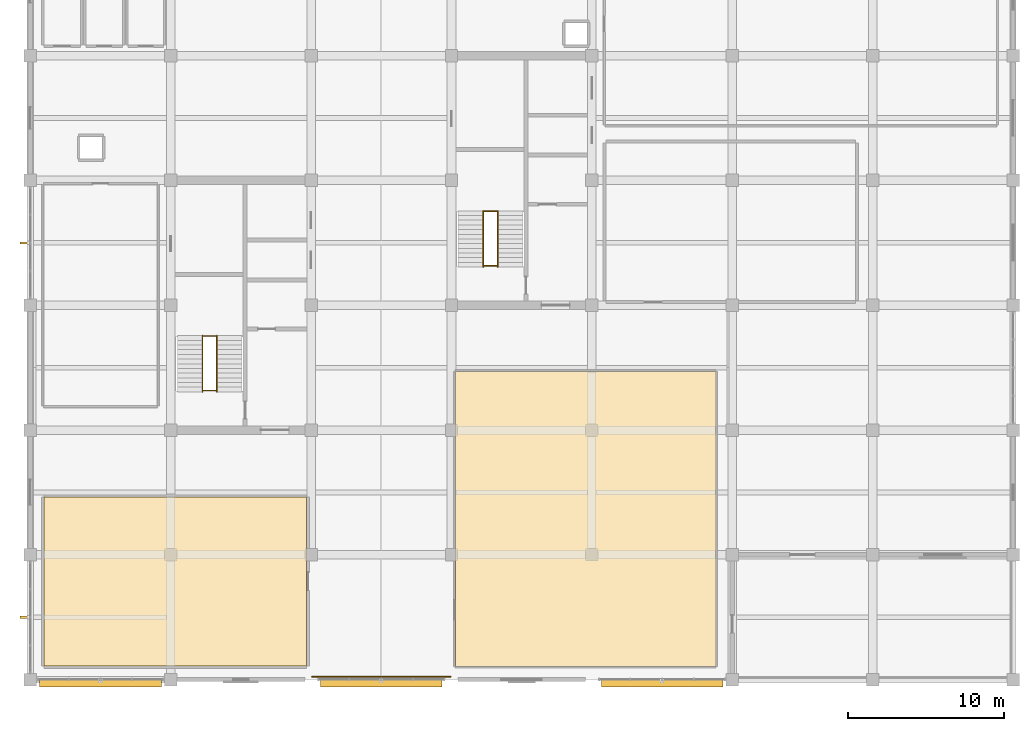
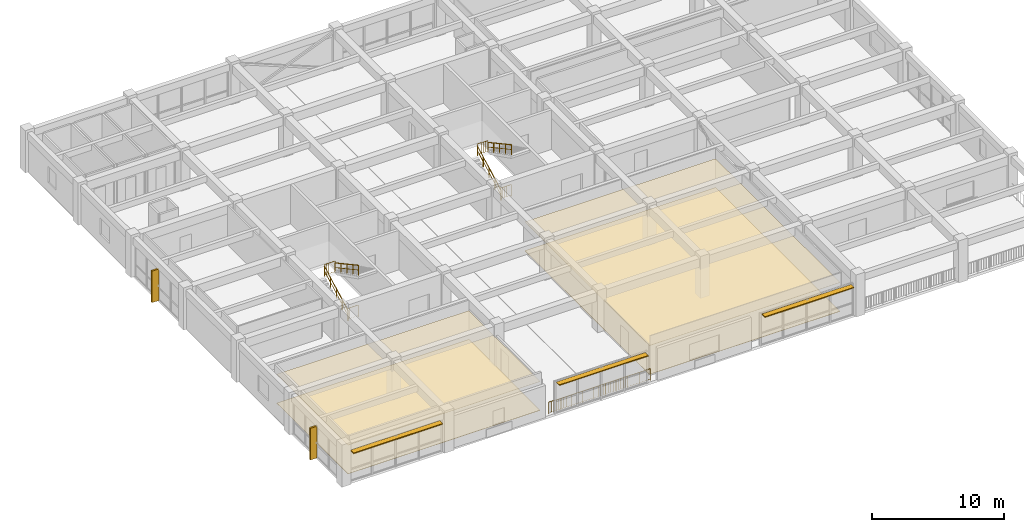
# One storey, part 16 of 17: 9 railings, 5 shading devices, 4 coverings.
"""IFC4 building model written with IfcOpenShell, lengths in metres."""

from ifc_helpers import new_model, si_unit, direction, frame, frame_2d, origin, origin_2d, place, context, subcontext, project, spatial, polyline, rectangle, circle, outline, extrude, material, layer, layer_set, type_object, element, save


model = new_model("IFC4")

# Units and contexts
model_context = context("Model", 3, precision=1e-05, world=origin(), true_north=direction((0.0, 1.0)))
body_context = subcontext(model_context, "Body", "Model", "MODEL_VIEW")
ifc_project = project(units=[si_unit("LENGTHUNIT", "METRE"), si_unit("AREAUNIT", "SQUARE_METRE"), si_unit("VOLUMEUNIT", "CUBIC_METRE"), si_unit("PLANEANGLEUNIT", "RADIAN"), si_unit("MASSUNIT", "GRAM", prefix="KILO")], contexts=[model_context])

# Site, building, storey
site_placement = place(None, origin())
site = spatial("IfcSite", under=ifc_project, at=site_placement, CompositionType="ELEMENT")
building_placement = place(site_placement, origin())
building = spatial("IfcBuilding", under=site, at=building_placement, Name="Zaverband Oceanarium and Marine Research Institute", CompositionType="ELEMENT")
storey_placement = place(building_placement, frame((0.0, 0.0, 33.60009765625)))
storey = spatial("IfcBuildingStorey", under=building, at=storey_placement, Name="L08", CompositionType="ELEMENT", Elevation=33.60009765625)

# Coverings
ifc_material_1 = material(Name="Perforated mineral-fibre acoustic ceiling tile")
ifc_layer_1 = layer(ifc_material_1, 0.02490234375, Name="Perforated mineral-fibre acoustic ceiling tile")
ifc_layer_set_1 = layer_set([ifc_layer_1], Name="Perforated mineral-fibre acoustic ceiling tile")
covering_type_1 = type_object("IfcCoveringType", Name="CLG-AC-15", PredefinedType="CEILING", material=ifc_layer_set_1)
covering_1_placement = place(storey_placement, frame((0.0, 0.0, 2.659912109375)))
element("IfcCovering", 1, at=covering_1_placement, inside=storey, type_object=covering_type_1, Name="Suspended acoustic ceiling CLG-AC-15", PredefinedType="CEILING", context=body_context, shape_type="SweptSolid", body=[
    extrude(outline(polyline([(9.889892578125, 64.889892578125), (26.7099609375, 64.889892578125), (26.7099609375, 75.7099609375), (9.889892578125, 75.7099609375), (9.889892578125, 64.889892578125)])), origin(), (0.0, 0.0, 1.0), 0.02490234375),
])
covering_2_placement = place(storey_placement, frame((0.0, 0.0, 2.659912109375)))
element("IfcCovering", 2, at=covering_2_placement, inside=storey, type_object=covering_type_1, Name="Suspended acoustic ceiling CLG-AC-15", PredefinedType="CEILING", context=body_context, shape_type="SweptSolid", body=[
    extrude(outline(polyline([(36.25, 64.85009765625), (52.949951171875, 64.85009765625), (52.949951171875, 83.75), (36.25, 83.75), (36.25, 64.85009765625)])), origin(), (0.0, 0.0, 1.0), 0.02490234375),
])
ifc_material_2 = material(Name="Polished marine terrazzo and seamless laboratory epoxy flooring")
ifc_layer_2 = layer(ifc_material_2, 0.02490234375, Name="Polished marine terrazzo and seamless laboratory epoxy flooring")
ifc_layer_set_2 = layer_set([ifc_layer_2], Name="Polished marine terrazzo and seamless laboratory epoxy flooring")
covering_type_2 = type_object("IfcCoveringType", Name="FLR-TRZ-20", PredefinedType="FLOORING", material=ifc_layer_set_2)
covering_3_placement = place(storey_placement, origin())
element("IfcCovering", 3, at=covering_3_placement, inside=storey, type_object=covering_type_2, Name="Terrazzo and marine epoxy floor finish FLR-TRZ-20", PredefinedType="FLOORING", context=body_context, shape_type="SweptSolid", body=[
    extrude(outline(polyline([(9.889892578125, 64.889892578125), (26.7099609375, 64.889892578125), (26.7099609375, 75.7099609375), (9.889892578125, 75.7099609375), (9.889892578125, 64.889892578125)])), origin(), (0.0, 0.0, 1.0), 0.02490234375),
])
covering_4_placement = place(storey_placement, origin())
element("IfcCovering", 4, at=covering_4_placement, inside=storey, type_object=covering_type_2, Name="Terrazzo and marine epoxy floor finish FLR-TRZ-20", PredefinedType="FLOORING", context=body_context, shape_type="SweptSolid", body=[
    extrude(outline(polyline([(36.25, 64.85009765625), (52.949951171875, 64.85009765625), (52.949951171875, 83.75), (36.25, 83.75), (36.25, 64.85009765625)])), origin(), (0.0, 0.0, 1.0), 0.02490234375),
])

# Railings
ifc_material_3 = material(Name="Steel S355", Category="steel")
ifc_layer_3 = layer(ifc_material_3, 0.06005859375, Name="Steel S355")
ifc_layer_set_3 = layer_set([ifc_layer_3], Name="Steel S355")
railing_type_1 = type_object("IfcRailingType", Name="GRD-1100", PredefinedType="BALUSTRADE", material=ifc_layer_set_3)
for number, where, name in (
    (5, (20.0400390625, 86.030029296875, 1.949951171875), "1100 mm steel post-and-baluster safety guard GRD-1100"),
    (6, (20.0400390625, 82.530029296875, 0.0), "1100 mm steel post-and-baluster safety guard GRD-1100"),
    (7, (38.0400390625, 94.030029296875, 1.949951171875), "1100 mm steel post-and-baluster safety guard GRD-1100"),
    (8, (38.0400390625, 90.530029296875, 0.0), "1100 mm steel post-and-baluster safety guard GRD-1100"),
):
    element("IfcRailing", number, at=place(storey_placement, frame(where)), inside=storey, type_object=railing_type_1, Name=name, PredefinedType="BALUSTRADE", context=body_context, shape_type="SweptSolid", body=[
        extrude(circle(Radius=0.02392578125, at=origin_2d()), frame((0.0, 0.0, 1.076171875), z_axis=(1.0, 0.0, 0.0), x_axis=(0.0, 1.0, 0.0)), (0.0, 0.0, 1.0), 0.919921875),
        extrude(circle(Radius=0.009033203125, at=origin_2d()), frame((0.0, 0.0, 0.10009765625), z_axis=(1.0, 0.0, 0.0), x_axis=(0.0, 1.0, 0.0)), (0.0, 0.0, 1.0), 0.919921875),
        extrude(circle(Radius=0.009033203125, at=origin_2d()), frame((0.18408203125, 0.0, 0.10009765625)), (0.0, 0.0, 1.0), 0.951904296875),
        extrude(circle(Radius=0.009033203125, at=origin_2d()), frame((0.367919921875, 0.0, 0.10009765625)), (0.0, 0.0, 1.0), 0.951904296875),
        extrude(circle(Radius=0.009033203125, at=origin_2d()), frame((0.552001953125, 0.0, 0.10009765625)), (0.0, 0.0, 1.0), 0.951904296875),
        extrude(circle(Radius=0.009033203125, at=origin_2d()), frame((0.73583984375, 0.0, 0.10009765625)), (0.0, 0.0, 1.0), 0.951904296875),
        extrude(circle(Radius=0.02099609375, at=origin_2d()), origin(), (0.0, 0.0, 1.0), 1.052001953125),
        extrude(circle(Radius=0.02099609375, at=origin_2d()), frame((0.919921875, 0.0, 0.0)), (0.0, 0.0, 1.0), 1.052001953125),
    ])
railing_1_placement = place(storey_placement, frame((27.050048828125, 64.179931640625, 0.0)))
element("IfcRailing", 9, at=railing_1_placement, inside=storey, type_object=railing_type_1, Name="1100 mm steel post-and-baluster safety guard GRD-1100", PredefinedType="BALUSTRADE", context=body_context, shape_type="SweptSolid", body=[
    extrude(circle(Radius=0.02392578125, at=origin_2d()), frame((0.0, 0.0, 1.076171875), z_axis=(1.0, 0.0, 0.0), x_axis=(0.0, 1.0, 0.0)), (0.0, 0.0, 1.0), 8.89990234375),
    extrude(circle(Radius=0.009033203125, at=origin_2d()), frame((0.0, 0.0, 0.10009765625), z_axis=(1.0, 0.0, 0.0), x_axis=(0.0, 1.0, 0.0)), (0.0, 0.0, 1.0), 8.89990234375),
    extrude(circle(Radius=0.009033203125, at=origin_2d()), frame((0.217041015625, 0.0, 0.10009765625)), (0.0, 0.0, 1.0), 0.951904296875),
    extrude(circle(Radius=0.009033203125, at=origin_2d()), frame((0.43408203125, 0.0, 0.10009765625)), (0.0, 0.0, 1.0), 0.951904296875),
    extrude(circle(Radius=0.009033203125, at=origin_2d()), frame((0.651123046875, 0.0, 0.10009765625)), (0.0, 0.0, 1.0), 0.951904296875),
    extrude(circle(Radius=0.009033203125, at=origin_2d()), frame((0.8681640625, 0.0, 0.10009765625)), (0.0, 0.0, 1.0), 0.951904296875),
    extrude(circle(Radius=0.009033203125, at=origin_2d()), frame((1.08544921875, 0.0, 0.10009765625)), (0.0, 0.0, 1.0), 0.951904296875),
    extrude(circle(Radius=0.009033203125, at=origin_2d()), frame((1.302490234375, 0.0, 0.10009765625)), (0.0, 0.0, 1.0), 0.951904296875),
    extrude(circle(Radius=0.009033203125, at=origin_2d()), frame((1.51953125, 0.0, 0.10009765625)), (0.0, 0.0, 1.0), 0.951904296875),
    extrude(circle(Radius=0.009033203125, at=origin_2d()), frame((1.736572265625, 0.0, 0.10009765625)), (0.0, 0.0, 1.0), 0.951904296875),
    extrude(circle(Radius=0.009033203125, at=origin_2d()), frame((1.95361328125, 0.0, 0.10009765625)), (0.0, 0.0, 1.0), 0.951904296875),
    extrude(circle(Radius=0.009033203125, at=origin_2d()), frame((2.170654296875, 0.0, 0.10009765625)), (0.0, 0.0, 1.0), 0.951904296875),
    extrude(circle(Radius=0.009033203125, at=origin_2d()), frame((2.3876953125, 0.0, 0.10009765625)), (0.0, 0.0, 1.0), 0.951904296875),
    extrude(circle(Radius=0.009033203125, at=origin_2d()), frame((2.604736328125, 0.0, 0.10009765625)), (0.0, 0.0, 1.0), 0.951904296875),
    extrude(circle(Radius=0.009033203125, at=origin_2d()), frame((2.822021484375, 0.0, 0.10009765625)), (0.0, 0.0, 1.0), 0.951904296875),
    extrude(circle(Radius=0.009033203125, at=origin_2d()), frame((3.0390625, 0.0, 0.10009765625)), (0.0, 0.0, 1.0), 0.951904296875),
    extrude(circle(Radius=0.009033203125, at=origin_2d()), frame((3.256103515625, 0.0, 0.10009765625)), (0.0, 0.0, 1.0), 0.951904296875),
    extrude(circle(Radius=0.009033203125, at=origin_2d()), frame((3.47314453125, 0.0, 0.10009765625)), (0.0, 0.0, 1.0), 0.951904296875),
    extrude(circle(Radius=0.009033203125, at=origin_2d()), frame((3.690185546875, 0.0, 0.10009765625)), (0.0, 0.0, 1.0), 0.951904296875),
    extrude(circle(Radius=0.009033203125, at=origin_2d()), frame((3.9072265625, 0.0, 0.10009765625)), (0.0, 0.0, 1.0), 0.951904296875),
    extrude(circle(Radius=0.009033203125, at=origin_2d()), frame((4.124267578125, 0.0, 0.10009765625)), (0.0, 0.0, 1.0), 0.951904296875),
    extrude(circle(Radius=0.009033203125, at=origin_2d()), frame((4.34130859375, 0.0, 0.10009765625)), (0.0, 0.0, 1.0), 0.951904296875),
    extrude(circle(Radius=0.009033203125, at=origin_2d()), frame((4.55859375, 0.0, 0.10009765625)), (0.0, 0.0, 1.0), 0.951904296875),
    extrude(circle(Radius=0.009033203125, at=origin_2d()), frame((4.775634765625, 0.0, 0.10009765625)), (0.0, 0.0, 1.0), 0.951904296875),
    extrude(circle(Radius=0.009033203125, at=origin_2d()), frame((4.99267578125, 0.0, 0.10009765625)), (0.0, 0.0, 1.0), 0.951904296875),
    extrude(circle(Radius=0.009033203125, at=origin_2d()), frame((5.209716796875, 0.0, 0.10009765625)), (0.0, 0.0, 1.0), 0.951904296875),
    extrude(circle(Radius=0.009033203125, at=origin_2d()), frame((5.4267578125, 0.0, 0.10009765625)), (0.0, 0.0, 1.0), 0.951904296875),
    extrude(circle(Radius=0.009033203125, at=origin_2d()), frame((5.643798828125, 0.0, 0.10009765625)), (0.0, 0.0, 1.0), 0.951904296875),
    extrude(circle(Radius=0.009033203125, at=origin_2d()), frame((5.86083984375, 0.0, 0.10009765625)), (0.0, 0.0, 1.0), 0.951904296875),
    extrude(circle(Radius=0.009033203125, at=origin_2d()), frame((6.077880859375, 0.0, 0.10009765625)), (0.0, 0.0, 1.0), 0.951904296875),
    extrude(circle(Radius=0.009033203125, at=origin_2d()), frame((6.295166015625, 0.0, 0.10009765625)), (0.0, 0.0, 1.0), 0.951904296875),
    extrude(circle(Radius=0.009033203125, at=origin_2d()), frame((6.51220703125, 0.0, 0.10009765625)), (0.0, 0.0, 1.0), 0.951904296875),
    extrude(circle(Radius=0.009033203125, at=origin_2d()), frame((6.729248046875, 0.0, 0.10009765625)), (0.0, 0.0, 1.0), 0.951904296875),
    extrude(circle(Radius=0.009033203125, at=origin_2d()), frame((6.9462890625, 0.0, 0.10009765625)), (0.0, 0.0, 1.0), 0.951904296875),
    extrude(circle(Radius=0.009033203125, at=origin_2d()), frame((7.163330078125, 0.0, 0.10009765625)), (0.0, 0.0, 1.0), 0.951904296875),
    extrude(circle(Radius=0.009033203125, at=origin_2d()), frame((7.38037109375, 0.0, 0.10009765625)), (0.0, 0.0, 1.0), 0.951904296875),
    extrude(circle(Radius=0.009033203125, at=origin_2d()), frame((7.597412109375, 0.0, 0.10009765625)), (0.0, 0.0, 1.0), 0.951904296875),
    extrude(circle(Radius=0.009033203125, at=origin_2d()), frame((7.814453125, 0.0, 0.10009765625)), (0.0, 0.0, 1.0), 0.951904296875),
    extrude(circle(Radius=0.009033203125, at=origin_2d()), frame((8.03173828125, 0.0, 0.10009765625)), (0.0, 0.0, 1.0), 0.951904296875),
    extrude(circle(Radius=0.009033203125, at=origin_2d()), frame((8.248779296875, 0.0, 0.10009765625)), (0.0, 0.0, 1.0), 0.951904296875),
    extrude(circle(Radius=0.009033203125, at=origin_2d()), frame((8.4658203125, 0.0, 0.10009765625)), (0.0, 0.0, 1.0), 0.951904296875),
    extrude(circle(Radius=0.009033203125, at=origin_2d()), frame((8.682861328125, 0.0, 0.10009765625)), (0.0, 0.0, 1.0), 0.951904296875),
    extrude(circle(Radius=0.02099609375, at=origin_2d()), origin(), (0.0, 0.0, 1.0), 1.052001953125),
    extrude(circle(Radius=0.02099609375, at=origin_2d()), frame((0.98876953125, 0.0, 0.0)), (0.0, 0.0, 1.0), 1.052001953125),
    extrude(circle(Radius=0.02099609375, at=origin_2d()), frame((1.977783203125, 0.0, 0.0)), (0.0, 0.0, 1.0), 1.052001953125),
    extrude(circle(Radius=0.02099609375, at=origin_2d()), frame((2.966552734375, 0.0, 0.0)), (0.0, 0.0, 1.0), 1.052001953125),
    extrude(circle(Radius=0.02099609375, at=origin_2d()), frame((3.95556640625, 0.0, 0.0)), (0.0, 0.0, 1.0), 1.052001953125),
    extrude(circle(Radius=0.02099609375, at=origin_2d()), frame((4.9443359375, 0.0, 0.0)), (0.0, 0.0, 1.0), 1.052001953125),
    extrude(circle(Radius=0.02099609375, at=origin_2d()), frame((5.933349609375, 0.0, 0.0)), (0.0, 0.0, 1.0), 1.052001953125),
    extrude(circle(Radius=0.02099609375, at=origin_2d()), frame((6.922119140625, 0.0, 0.0)), (0.0, 0.0, 1.0), 1.052001953125),
    extrude(circle(Radius=0.02099609375, at=origin_2d()), frame((7.9111328125, 0.0, 0.0)), (0.0, 0.0, 1.0), 1.052001953125),
    extrude(circle(Radius=0.02099609375, at=origin_2d()), frame((8.89990234375, 0.0, 0.0)), (0.0, 0.0, 1.0), 1.052001953125),
])
ifc_layer_4 = layer(ifc_material_3, 0.050048828125, Name="Steel S355")
ifc_layer_set_4 = layer_set([ifc_layer_4], Name="Steel S355")
railing_type_2 = type_object("IfcRailingType", Name="HR-920", PredefinedType="HANDRAIL", material=ifc_layer_set_4)
railing_2_placement = place(storey_placement, frame((20.0400390625, 82.449951171875, 0.0)))
element("IfcRailing", 10, at=railing_2_placement, inside=storey, type_object=railing_type_2, Name="920 mm continuous tubular stair and ramp handrail HR-920", PredefinedType="HANDRAIL", context=body_context, shape_type="SweptSolid", body=[
    extrude(circle(Radius=0.02392578125, at=origin_2d()), frame((0.0, 0.0, 0.89599609375), z_axis=(0.0, 0.879302371543, 0.476263938798), x_axis=(-1.0, 0.0, 0.0)), (0.0, 0.0, 1.0), 4.09423828125),
    extrude(circle(Radius=0.009033203125, at=origin_2d()), frame((0.0, 0.0, 0.4599609375), z_axis=(0.0, 0.879302371543, 0.476263938798), x_axis=(-1.0, 0.0, 0.0)), (0.0, 0.0, 1.0), 4.09423828125),
    extrude(circle(Radius=0.02099609375, at=origin_2d()), origin(), (0.0, 0.0, 1.0), 0.871826171875),
    extrude(circle(Radius=0.02099609375, at=origin_2d()), frame((0.0, 0.89990234375, 0.487548828125)), (0.0, 0.0, 1.0), 0.871826171875),
    extrude(circle(Radius=0.02099609375, at=origin_2d()), frame((0.0, 1.800048828125, 0.97509765625)), (0.0, 0.0, 1.0), 0.871826171875),
    extrude(circle(Radius=0.02099609375, at=origin_2d()), frame((0.0, 2.7001953125, 1.46240234375)), (0.0, 0.0, 1.0), 0.871826171875),
    extrude(circle(Radius=0.02099609375, at=origin_2d()), frame((0.0, 3.60009765625, 1.949951171875)), (0.0, 0.0, 1.0), 0.871826171875),
])
railing_3_placement = place(storey_placement, frame((20.9599609375, 86.050048828125, 1.949951171875)))
element("IfcRailing", 11, at=railing_3_placement, inside=storey, type_object=railing_type_2, Name="920 mm continuous tubular stair and ramp handrail HR-920", PredefinedType="HANDRAIL", context=body_context, shape_type="SweptSolid", body=[
    extrude(circle(Radius=0.02392578125, at=origin_2d()), frame((0.0, 0.0, 0.89599609375), z_axis=(0.0, -0.879302371543, 0.476263938798), x_axis=(1.0, 0.0, 0.0)), (0.0, 0.0, 1.0), 4.09423828125),
    extrude(circle(Radius=0.009033203125, at=origin_2d()), frame((0.0, 0.0, 0.4599609375), z_axis=(0.0, -0.879302371543, 0.476263938798), x_axis=(1.0, 0.0, 0.0)), (0.0, 0.0, 1.0), 4.09423828125),
    extrude(circle(Radius=0.02099609375, at=origin_2d()), origin(), (0.0, 0.0, 1.0), 0.871826171875),
    extrude(circle(Radius=0.02099609375, at=origin_2d()), frame((0.0, -0.89990234375, 0.487548828125)), (0.0, 0.0, 1.0), 0.871826171875),
    extrude(circle(Radius=0.02099609375, at=origin_2d()), frame((0.0, -1.800048828125, 0.97509765625)), (0.0, 0.0, 1.0), 0.871826171875),
    extrude(circle(Radius=0.02099609375, at=origin_2d()), frame((0.0, -2.7001953125, 1.46240234375)), (0.0, 0.0, 1.0), 0.871826171875),
    extrude(circle(Radius=0.02099609375, at=origin_2d()), frame((0.0, -3.60009765625, 1.949951171875)), (0.0, 0.0, 1.0), 0.871826171875),
])
railing_4_placement = place(storey_placement, frame((38.0400390625, 90.449951171875, 0.0)))
element("IfcRailing", 12, at=railing_4_placement, inside=storey, type_object=railing_type_2, Name="920 mm continuous tubular stair and ramp handrail HR-920", PredefinedType="HANDRAIL", context=body_context, shape_type="SweptSolid", body=[
    extrude(circle(Radius=0.02392578125, at=origin_2d()), frame((0.0, 0.0, 0.89599609375), z_axis=(0.0, 0.879302371543, 0.476263938798), x_axis=(-1.0, 0.0, 0.0)), (0.0, 0.0, 1.0), 4.09423828125),
    extrude(circle(Radius=0.009033203125, at=origin_2d()), frame((0.0, 0.0, 0.4599609375), z_axis=(0.0, 0.879302371543, 0.476263938798), x_axis=(-1.0, 0.0, 0.0)), (0.0, 0.0, 1.0), 4.09423828125),
    extrude(circle(Radius=0.02099609375, at=origin_2d()), origin(), (0.0, 0.0, 1.0), 0.871826171875),
    extrude(circle(Radius=0.02099609375, at=origin_2d()), frame((0.0, 0.89990234375, 0.487548828125)), (0.0, 0.0, 1.0), 0.871826171875),
    extrude(circle(Radius=0.02099609375, at=origin_2d()), frame((0.0, 1.800048828125, 0.97509765625)), (0.0, 0.0, 1.0), 0.871826171875),
    extrude(circle(Radius=0.02099609375, at=origin_2d()), frame((0.0, 2.7001953125, 1.46240234375)), (0.0, 0.0, 1.0), 0.871826171875),
    extrude(circle(Radius=0.02099609375, at=origin_2d()), frame((0.0, 3.60009765625, 1.949951171875)), (0.0, 0.0, 1.0), 0.871826171875),
])
railing_5_placement = place(storey_placement, frame((38.9599609375, 94.050048828125, 1.949951171875)))
element("IfcRailing", 13, at=railing_5_placement, inside=storey, type_object=railing_type_2, Name="920 mm continuous tubular stair and ramp handrail HR-920", PredefinedType="HANDRAIL", context=body_context, shape_type="SweptSolid", body=[
    extrude(circle(Radius=0.02392578125, at=origin_2d()), frame((0.0, 0.0, 0.89599609375), z_axis=(0.0, -0.879302371543, 0.476263938798), x_axis=(1.0, 0.0, 0.0)), (0.0, 0.0, 1.0), 4.09423828125),
    extrude(circle(Radius=0.009033203125, at=origin_2d()), frame((0.0, 0.0, 0.4599609375), z_axis=(0.0, -0.879302371543, 0.476263938798), x_axis=(1.0, 0.0, 0.0)), (0.0, 0.0, 1.0), 4.09423828125),
    extrude(circle(Radius=0.02099609375, at=origin_2d()), origin(), (0.0, 0.0, 1.0), 0.871826171875),
    extrude(circle(Radius=0.02099609375, at=origin_2d()), frame((0.0, -0.89990234375, 0.487548828125)), (0.0, 0.0, 1.0), 0.871826171875),
    extrude(circle(Radius=0.02099609375, at=origin_2d()), frame((0.0, -1.800048828125, 0.97509765625)), (0.0, 0.0, 1.0), 0.871826171875),
    extrude(circle(Radius=0.02099609375, at=origin_2d()), frame((0.0, -2.7001953125, 1.46240234375)), (0.0, 0.0, 1.0), 0.871826171875),
    extrude(circle(Radius=0.02099609375, at=origin_2d()), frame((0.0, -3.60009765625, 1.949951171875)), (0.0, 0.0, 1.0), 0.871826171875),
])

# Shading devices
ifc_material_4 = material(Name="Concrete C40/50 precast brise-soleil", Category="concrete")
ifc_layer_5 = layer(ifc_material_4, 0.139892578125, Name="Concrete C40/50 precast brise-soleil")
ifc_layer_set_5 = layer_set([ifc_layer_5], Name="Concrete C40/50 precast brise-soleil")
shading_device_type_1 = type_object("IfcShadingDeviceType", Name="SHD-FIN-600", PredefinedType="JALOUSIE", material=ifc_layer_set_5)
for number, where, z_axis, x_axis, name in (
    (14, (8.93994140625, 68.0, 0.0), (0.0, 0.0, 1.0), (-1.0, 0.0, 0.0), "600 mm vertical precast brise-soleil fin SHD-FIN-600"),
    (15, (8.93994140625, 92.0, 0.0), (0.0, 0.0, 1.0), (-1.0, 0.0, 0.0), "600 mm vertical precast brise-soleil fin SHD-FIN-600"),
):
    element("IfcShadingDevice", number, at=place(storey_placement, frame(where, z_axis=z_axis, x_axis=x_axis)), inside=storey, type_object=shading_device_type_1, Name=name, PredefinedType="JALOUSIE", context=body_context, shape_type="SweptSolid", body=[
        extrude(rectangle(XDim=0.599853515625, YDim=0.139892578125, at=frame_2d((0.2998046875, 0.0))), origin(), (0.0, 0.0, 1.0), 2.929931640625),
    ])
ifc_material_5 = material(Name="Anodized bronze marine-grade aluminium", Category="aluminium")
ifc_layer_6 = layer(ifc_material_5, 0.080078125, Name="Anodized bronze marine-grade aluminium")
ifc_layer_set_6 = layer_set([ifc_layer_6], Name="Anodized bronze marine-grade aluminium")
shading_device_type_2 = type_object("IfcShadingDeviceType", Name="SHD-LVR-450", PredefinedType="USERDEFINED", material=ifc_layer_set_6)
for number, where, z_axis, x_axis, name in (
    (16, (9.60498046875, 63.760009765625, 2.7998046875), (0.0, 0.0, 1.0), (1.0, 0.0, 0.0), "450 mm horizontal solar shading louvre SHD-LVR-450"),
    (17, (27.60498046875, 63.760009765625, 2.7998046875), (0.0, 0.0, 1.0), (1.0, 0.0, 0.0), "450 mm horizontal solar shading louvre SHD-LVR-450"),
    (18, (45.60498046875, 63.760009765625, 2.7998046875), (0.0, 0.0, 1.0), (1.0, 0.0, 0.0), "450 mm horizontal solar shading louvre SHD-LVR-450"),
):
    element("IfcShadingDevice", number, at=place(storey_placement, frame(where, z_axis=z_axis, x_axis=x_axis)), inside=storey, type_object=shading_device_type_2, Name=name, ObjectType="LOUVRE", PredefinedType="USERDEFINED", context=body_context, shape_type="SweptSolid", body=[
        extrude(rectangle(XDim=7.7900390625, YDim=0.449951171875, at=frame_2d((3.89501953125, 0.0))), origin(), (0.0, 0.0, 1.0), 0.080078125),
    ])

save(model, "model.ifc")
